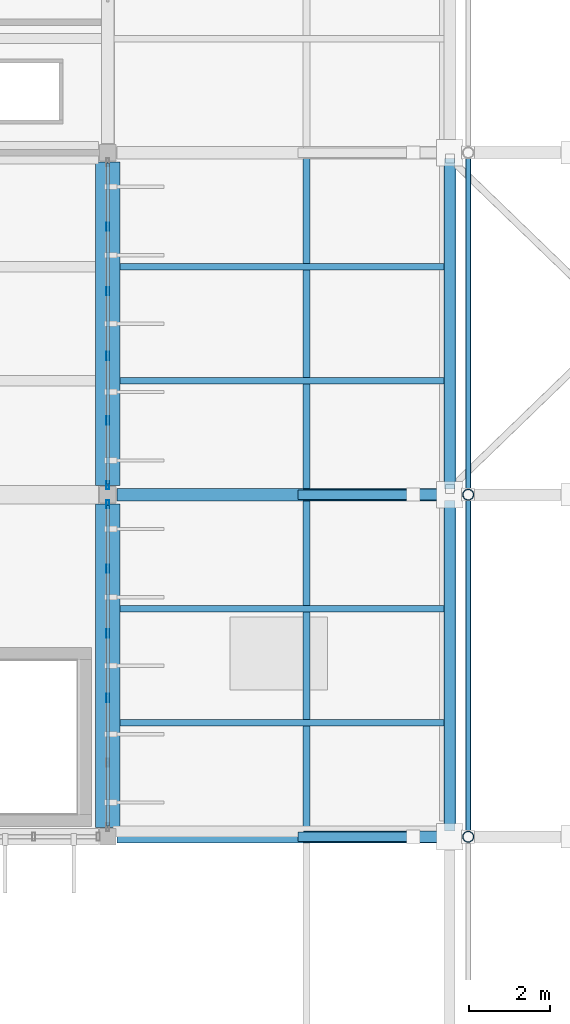
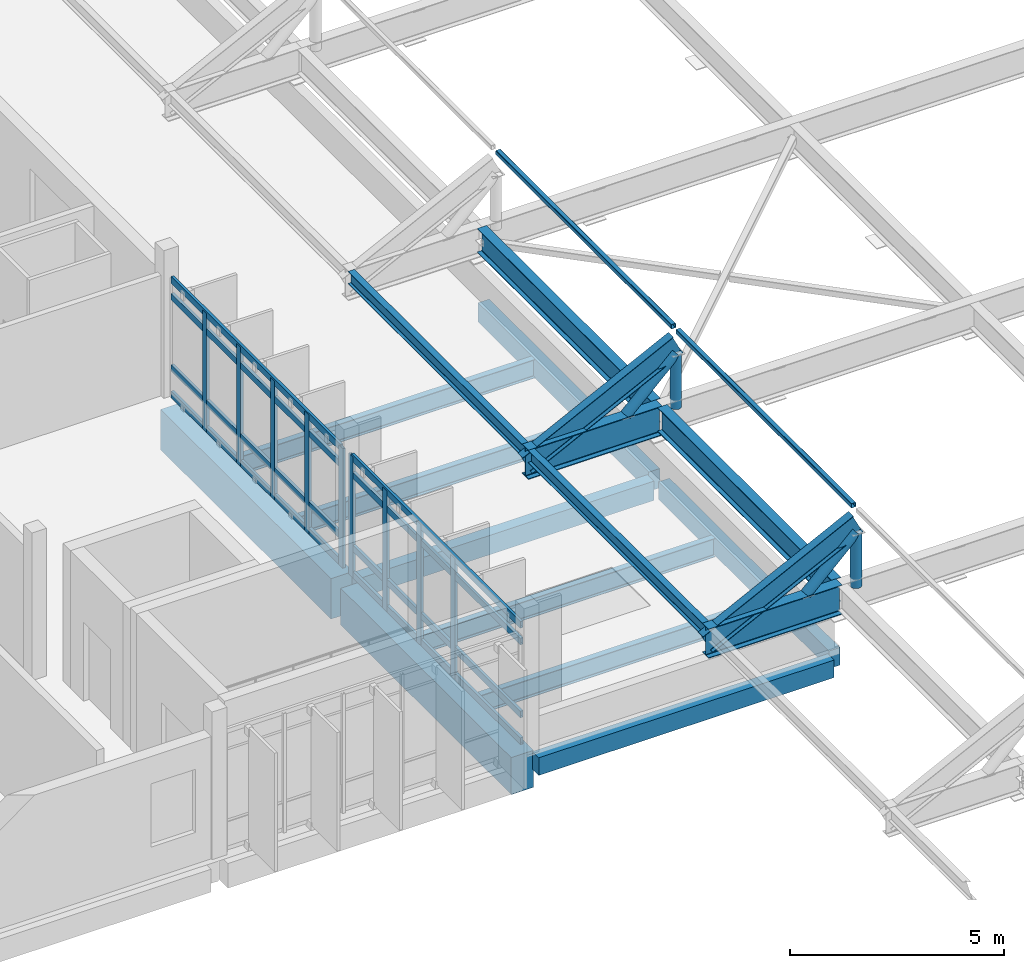
# One storey, part 7 of 41: 23 members, 18 beams, 2 elements without a shape of their own.
"""IFC4 building model written with IfcOpenShell, lengths in metres."""

from ifc_helpers import new_model, si_unit, direction, frame, origin, origin_2d, place, context, subcontext, project, spatial, rectangle, hollow_rectangle, hollow_circle, i_section, extrude, material, layer, layer_set, material_profile, profile_set, type_object, element, aggregate, save


model = new_model("IFC4")

# Units and contexts
model_context = context("Model", 3, precision=1e-05, world=origin(), true_north=direction((0.0, 1.0)))
body_context = subcontext(model_context, "Body", "Model", "MODEL_VIEW")
ifc_project = project(units=[si_unit("LENGTHUNIT", "METRE"), si_unit("AREAUNIT", "SQUARE_METRE"), si_unit("VOLUMEUNIT", "CUBIC_METRE"), si_unit("PLANEANGLEUNIT", "RADIAN"), si_unit("MASSUNIT", "GRAM", prefix="KILO")], contexts=[model_context])

# Site, building, storey
site_placement = place(None, origin())
site = spatial("IfcSite", under=ifc_project, at=site_placement, CompositionType="ELEMENT")
building_placement = place(site_placement, origin())
building = spatial("IfcBuilding", under=site, at=building_placement, Name="Vireocrest Preparatory School", CompositionType="ELEMENT")
storey_placement = place(building_placement, frame((0.0, 0.0, 21.60009765625)))
storey = spatial("IfcBuildingStorey", under=building, at=storey_placement, Name="L05", CompositionType="ELEMENT", Elevation=21.60009765625)

# Beams
ifc_material_1 = material(Name="Structural steel ASTM A992 Grade 50", Category="steel")
ifc_material_profile_1 = material_profile(ifc_material_1, i_section(OverallWidth=0.25390625, OverallDepth=0.68408203125, WebThickness=0.012451171875, FlangeThickness=0.018798828125, FilletRadius=0.01806640625, at=origin_2d()), Name="W27X94")
ifc_profile_set_1 = profile_set([ifc_material_profile_1], Name="Structural steel ASTM A992 Grade 50")
beam_type_1 = type_object("IfcBeamType", Name="Bridge Primary Steel Girder W27X94", PredefinedType="BEAM", material=ifc_profile_set_1)
beam_1_placement = place(storey_placement, frame((67.199951171875, 43.944091796875, 1.492919921875), z_axis=(0.0, 1.0, 0.0), x_axis=(-1.0, 0.0, 0.0)))
element("IfcBeam", 1, at=beam_1_placement, inside=storey, type_object=beam_type_1, Name="Canopy Longitudinal Beam WO-3", PredefinedType="BEAM", context=body_context, shape_type="SweptSolid", body=[
    extrude(i_section(OverallWidth=0.25390625, OverallDepth=0.68408203125, WebThickness=0.012451171875, FlangeThickness=0.018798828125, FilletRadius=0.01806640625, at=origin_2d()), origin(), (0.0, 0.0, 1.0), 8.11181640625),
])
beam_2_placement = place(storey_placement, frame((67.199951171875, 52.343994140625, 1.492919921875), z_axis=(0.0, 1.0, 0.0), x_axis=(-1.0, 0.0, 0.0)))
element("IfcBeam", 2, at=beam_2_placement, inside=storey, type_object=beam_type_1, Name="Canopy Longitudinal Beam WO-4", PredefinedType="BEAM", context=body_context, shape_type="SweptSolid", body=[
    extrude(i_section(OverallWidth=0.25390625, OverallDepth=0.68408203125, WebThickness=0.012451171875, FlangeThickness=0.018798828125, FilletRadius=0.01806640625, at=origin_2d()), origin(), (0.0, 0.0, 1.0), 8.112060546875),
])

# Curtain wall, members
ifc_material_2 = material(Name="Thermally broken aluminium EN AW-6063-T6", Category="aluminium")
ifc_layer = layer(ifc_material_2, 0.179931640625)
ifc_layer_set = layer_set([ifc_layer], Name="Thermally broken aluminium EN AW-6063-T6")
curtain_wall_type = type_object("IfcCurtainWallType", Name="Teaching Fin Curtain Wall 8400x4200", PredefinedType="USERDEFINED", material=ifc_layer_set)
curtain_wall_1_placement = place(storey_placement, origin())
curtain_wall_1 = element("IfcCurtainWall", 3, at=curtain_wall_1_placement, inside=storey, type_object=curtain_wall_type, Name="Curtain Wall CW03 CW_L05_CW03_0588_0440_216", ObjectType="CURTAIN WALL", PredefinedType="USERDEFINED")
ifc_material_profile_2 = material_profile(ifc_material_2, hollow_rectangle(XDim=0.074951171875, YDim=0.199951171875, WallThickness=0.0048828125, at=origin_2d()), Name="ALU 75x200x5")
ifc_profile_set_2 = profile_set([ifc_material_profile_2], Name="Thermally broken aluminium EN AW-6063-T6")
member_type_1 = type_object("IfcMemberType", Name="CW Mullion 75x200x5", PredefinedType="MULLION", material=ifc_profile_set_2)
member_1_placement = place(storey_placement, frame((58.800048828125, 47.20703125, 0.0), z_axis=(0.0, 0.0, 1.0), x_axis=(1.0, 0.0, 0.0)))
member_1 = element("IfcMember", 4, at=member_1_placement, type_object=member_type_1, Name="CW Mullion ML3 CW_L05_CW03_0588_0440_216-3", PredefinedType="MULLION", context=body_context, shape_type="SweptSolid", body=[
    extrude(hollow_rectangle(XDim=0.074951171875, YDim=0.199951171875, WallThickness=0.0048828125, at=origin_2d()), origin(), (0.0, 0.0, 1.0), 3.44482421875),
])
member_2_placement = place(storey_placement, frame((58.800048828125, 48.79296875, 0.0), z_axis=(0.0, 0.0, 1.0), x_axis=(1.0, 0.0, 0.0)))
member_2 = element("IfcMember", 5, at=member_2_placement, type_object=member_type_1, Name="CW Mullion ML3 CW_L05_CW03_0588_0440_216-4", PredefinedType="MULLION", context=body_context, shape_type="SweptSolid", body=[
    extrude(hollow_rectangle(XDim=0.074951171875, YDim=0.199951171875, WallThickness=0.0048828125, at=origin_2d()), origin(), (0.0, 0.0, 1.0), 3.44482421875),
])
member_3_placement = place(storey_placement, frame((58.800048828125, 50.37890625, 0.0), z_axis=(0.0, 0.0, 1.0), x_axis=(1.0, 0.0, 0.0)))
member_3 = element("IfcMember", 6, at=member_3_placement, type_object=member_type_1, Name="CW Mullion ML3 CW_L05_CW03_0588_0440_216-5", PredefinedType="MULLION", context=body_context, shape_type="SweptSolid", body=[
    extrude(hollow_rectangle(XDim=0.074951171875, YDim=0.199951171875, WallThickness=0.0048828125, at=origin_2d()), origin(), (0.0, 0.0, 1.0), 3.44482421875),
])
member_4_placement = place(storey_placement, frame((58.800048828125, 51.965087890625, 0.0), z_axis=(0.0, 0.0, 1.0), x_axis=(1.0, 0.0, 0.0)))
member_4 = element("IfcMember", 7, at=member_4_placement, type_object=member_type_1, Name="CW Mullion ML3 CW_L05_CW03_0588_0440_216-6", PredefinedType="MULLION", context=body_context, shape_type="SweptSolid", body=[
    extrude(hollow_rectangle(XDim=0.074951171875, YDim=0.199951171875, WallThickness=0.0048828125, at=origin_2d()), origin(), (0.0, 0.0, 1.0), 3.44482421875),
])

curtain_wall_2_placement = place(storey_placement, origin())
curtain_wall_2 = element("IfcCurtainWall", 8, at=curtain_wall_2_placement, inside=storey, type_object=curtain_wall_type, Name="Curtain Wall CW03 CW_L05_CW03_0588_0524_216", ObjectType="CURTAIN WALL", PredefinedType="USERDEFINED")
member_5_placement = place(storey_placement, frame((58.800048828125, 52.43505859375, 0.0), z_axis=(0.0, 0.0, 1.0), x_axis=(1.0, 0.0, 0.0)))
member_5 = element("IfcMember", 9, at=member_5_placement, type_object=member_type_1, Name="CW Mullion ML3 CW_L05_CW03_0588_0524_216-1", PredefinedType="MULLION", context=body_context, shape_type="SweptSolid", body=[
    extrude(hollow_rectangle(XDim=0.074951171875, YDim=0.199951171875, WallThickness=0.0048828125, at=origin_2d()), origin(), (0.0, 0.0, 1.0), 3.39501953125),
])
member_6_placement = place(storey_placement, frame((58.800048828125, 54.02099609375, 0.0), z_axis=(0.0, 0.0, 1.0), x_axis=(1.0, 0.0, 0.0)))
member_6 = element("IfcMember", 10, at=member_6_placement, type_object=member_type_1, Name="CW Mullion ML3 CW_L05_CW03_0588_0524_216-2", PredefinedType="MULLION", context=body_context, shape_type="SweptSolid", body=[
    extrude(hollow_rectangle(XDim=0.074951171875, YDim=0.199951171875, WallThickness=0.0048828125, at=origin_2d()), origin(), (0.0, 0.0, 1.0), 3.39501953125),
])
member_7_placement = place(storey_placement, frame((58.800048828125, 55.60693359375, 0.0), z_axis=(0.0, 0.0, 1.0), x_axis=(1.0, 0.0, 0.0)))
member_7 = element("IfcMember", 11, at=member_7_placement, type_object=member_type_1, Name="CW Mullion ML3 CW_L05_CW03_0588_0524_216-3", PredefinedType="MULLION", context=body_context, shape_type="SweptSolid", body=[
    extrude(hollow_rectangle(XDim=0.074951171875, YDim=0.199951171875, WallThickness=0.0048828125, at=origin_2d()), origin(), (0.0, 0.0, 1.0), 3.39501953125),
])
member_8_placement = place(storey_placement, frame((58.800048828125, 57.193115234375, 0.0), z_axis=(0.0, 0.0, 1.0), x_axis=(1.0, 0.0, 0.0)))
member_8 = element("IfcMember", 12, at=member_8_placement, type_object=member_type_1, Name="CW Mullion ML3 CW_L05_CW03_0588_0524_216-4", PredefinedType="MULLION", context=body_context, shape_type="SweptSolid", body=[
    extrude(hollow_rectangle(XDim=0.074951171875, YDim=0.199951171875, WallThickness=0.0048828125, at=origin_2d()), origin(), (0.0, 0.0, 1.0), 3.39501953125),
])
member_9_placement = place(storey_placement, frame((58.800048828125, 58.779052734375, 0.0), z_axis=(0.0, 0.0, 1.0), x_axis=(1.0, 0.0, 0.0)))
member_9 = element("IfcMember", 13, at=member_9_placement, type_object=member_type_1, Name="CW Mullion ML3 CW_L05_CW03_0588_0524_216-5", PredefinedType="MULLION", context=body_context, shape_type="SweptSolid", body=[
    extrude(hollow_rectangle(XDim=0.074951171875, YDim=0.199951171875, WallThickness=0.0048828125, at=origin_2d()), origin(), (0.0, 0.0, 1.0), 3.39501953125),
])

# Member
ifc_material_profile_3 = material_profile(ifc_material_2, hollow_rectangle(XDim=0.074951171875, YDim=0.18994140625, WallThickness=0.00390625, at=origin_2d()), Name="ALU 75x190x4")
ifc_profile_set_3 = profile_set([ifc_material_profile_3], Name="Thermally broken aluminium EN AW-6063-T6")
member_type_2 = type_object("IfcMemberType", Name="CW Transom 75x190x4", PredefinedType="USERDEFINED", material=ifc_profile_set_3)
member_10_placement = place(storey_placement, frame((58.800048828125, 44.06005859375, 0.094970703125), z_axis=(0.0, 1.0, 0.0), x_axis=(-1.0, 0.0, 0.0)))
member_10 = element("IfcMember", 14, at=member_10_placement, type_object=member_type_2, Name="CW Transom TR3 CW_L05_CW03_0588_0440_216-1", ObjectType="TRANSOM", PredefinedType="USERDEFINED", context=body_context, shape_type="SweptSolid", body=[
    extrude(hollow_rectangle(XDim=0.074951171875, YDim=0.18994140625, WallThickness=0.00390625, at=origin_2d()), origin(), (0.0, 0.0, 1.0), 7.8798828125),
])

member_11_placement = place(storey_placement, frame((58.800048828125, 44.06005859375, 0.849853515625), z_axis=(0.0, 1.0, 0.0), x_axis=(-1.0, 0.0, 0.0)))
member_11 = element("IfcMember", 15, at=member_11_placement, type_object=member_type_2, Name="CW Transom TR3 CW_L05_CW03_0588_0440_216-2", ObjectType="TRANSOM", PredefinedType="USERDEFINED", context=body_context, shape_type="SweptSolid", body=[
    extrude(hollow_rectangle(XDim=0.074951171875, YDim=0.18994140625, WallThickness=0.00390625, at=origin_2d()), origin(), (0.0, 0.0, 1.0), 7.8798828125),
])

member_12_placement = place(storey_placement, frame((58.800048828125, 44.06005859375, 2.929931640625), z_axis=(0.0, 1.0, 0.0), x_axis=(-1.0, 0.0, 0.0)))
member_12 = element("IfcMember", 16, at=member_12_placement, type_object=member_type_2, Name="CW Transom TR3 CW_L05_CW03_0588_0440_216-3", ObjectType="TRANSOM", PredefinedType="USERDEFINED", context=body_context, shape_type="SweptSolid", body=[
    extrude(hollow_rectangle(XDim=0.074951171875, YDim=0.18994140625, WallThickness=0.00390625, at=origin_2d()), origin(), (0.0, 0.0, 1.0), 7.8798828125),
])

member_13_placement = place(storey_placement, frame((58.800048828125, 44.06005859375, 3.40478515625), z_axis=(0.0, 1.0, 0.0), x_axis=(-1.0, 0.0, 0.0)))
member_13 = element("IfcMember", 17, at=member_13_placement, type_object=member_type_2, Name="CW Transom TR3 CW_L05_CW03_0588_0440_216-4", ObjectType="TRANSOM", PredefinedType="USERDEFINED", context=body_context, shape_type="SweptSolid", body=[
    extrude(hollow_rectangle(XDim=0.074951171875, YDim=0.18994140625, WallThickness=0.00390625, at=origin_2d()), origin(), (0.0, 0.0, 1.0), 7.8798828125),
])

aggregate(curtain_wall_1, [member_1, member_2, member_3, member_4, member_10, member_11, member_12, member_13])

member_14_placement = place(storey_placement, frame((58.800048828125, 52.4599609375, 0.094970703125), z_axis=(0.0, 1.0, 0.0), x_axis=(-1.0, 0.0, 0.0)))
member_14 = element("IfcMember", 18, at=member_14_placement, type_object=member_type_2, Name="CW Transom TR3 CW_L05_CW03_0588_0524_216-1", ObjectType="TRANSOM", PredefinedType="USERDEFINED", context=body_context, shape_type="SweptSolid", body=[
    extrude(hollow_rectangle(XDim=0.074951171875, YDim=0.18994140625, WallThickness=0.00390625, at=origin_2d()), origin(), (0.0, 0.0, 1.0), 7.880126953125),
])

member_15_placement = place(storey_placement, frame((58.800048828125, 52.4599609375, 0.849853515625), z_axis=(0.0, 1.0, 0.0), x_axis=(-1.0, 0.0, 0.0)))
member_15 = element("IfcMember", 19, at=member_15_placement, type_object=member_type_2, Name="CW Transom TR3 CW_L05_CW03_0588_0524_216-2", ObjectType="TRANSOM", PredefinedType="USERDEFINED", context=body_context, shape_type="SweptSolid", body=[
    extrude(hollow_rectangle(XDim=0.074951171875, YDim=0.18994140625, WallThickness=0.00390625, at=origin_2d()), origin(), (0.0, 0.0, 1.0), 7.880126953125),
])

member_16_placement = place(storey_placement, frame((58.800048828125, 52.4599609375, 2.8798828125), z_axis=(0.0, 1.0, 0.0), x_axis=(-1.0, 0.0, 0.0)))
member_16 = element("IfcMember", 20, at=member_16_placement, type_object=member_type_2, Name="CW Transom TR3 CW_L05_CW03_0588_0524_216-3", ObjectType="TRANSOM", PredefinedType="USERDEFINED", context=body_context, shape_type="SweptSolid", body=[
    extrude(hollow_rectangle(XDim=0.074951171875, YDim=0.18994140625, WallThickness=0.00390625, at=origin_2d()), origin(), (0.0, 0.0, 1.0), 7.880126953125),
])

member_17_placement = place(storey_placement, frame((58.800048828125, 52.4599609375, 3.35498046875), z_axis=(0.0, 1.0, 0.0), x_axis=(-1.0, 0.0, 0.0)))
member_17 = element("IfcMember", 21, at=member_17_placement, type_object=member_type_2, Name="CW Transom TR3 CW_L05_CW03_0588_0524_216-4", ObjectType="TRANSOM", PredefinedType="USERDEFINED", context=body_context, shape_type="SweptSolid", body=[
    extrude(hollow_rectangle(XDim=0.074951171875, YDim=0.18994140625, WallThickness=0.00390625, at=origin_2d()), origin(), (0.0, 0.0, 1.0), 7.880126953125),
])

aggregate(curtain_wall_2, [member_5, member_6, member_7, member_8, member_9, member_14, member_15, member_16, member_17])

# Members
ifc_material_3 = material(Name="Painted white steel ASTM A500 Grade C", Category="steel")
ifc_material_profile_4 = material_profile(ifc_material_3, hollow_rectangle(XDim=0.126953125, YDim=0.126953125, WallThickness=0.0087890625, InnerFilletRadius=0.0087890625, OuterFilletRadius=0.017822265625, at=origin_2d()), Name="HSS5X5X3/8")
ifc_profile_set_4 = profile_set([ifc_material_profile_4], Name="Painted white steel ASTM A500 Grade C")
member_type_3 = type_object("IfcMemberType", Name="Canopy Glass Steel Purlin HSS5X5X3/8", PredefinedType="PURLIN", material=ifc_profile_set_4)
member_18_placement = place(storey_placement, frame((67.64990234375, 43.909912109375, 3.7919921875), z_axis=(0.0, 1.0, 0.0), x_axis=(-1.0, 0.0, 0.0)))
element("IfcMember", 22, at=member_18_placement, inside=storey, type_object=member_type_3, Name="Canopy Glass Purlin PR2-3-2", PredefinedType="PURLIN", context=body_context, shape_type="SweptSolid", body=[
    extrude(hollow_rectangle(XDim=0.126953125, YDim=0.126953125, WallThickness=0.0087890625, InnerFilletRadius=0.0087890625, OuterFilletRadius=0.017822265625, at=origin_2d()), origin(), (0.0, 0.0, 1.0), 8.18017578125),
])
member_19_placement = place(storey_placement, frame((67.64990234375, 52.31005859375, 3.7919921875), z_axis=(0.0, 1.0, 0.0), x_axis=(-1.0, 0.0, 0.0)))
element("IfcMember", 23, at=member_19_placement, inside=storey, type_object=member_type_3, Name="Canopy Glass Purlin PR2-4-2", PredefinedType="PURLIN", context=body_context, shape_type="SweptSolid", body=[
    extrude(hollow_rectangle(XDim=0.126953125, YDim=0.126953125, WallThickness=0.0087890625, InnerFilletRadius=0.0087890625, OuterFilletRadius=0.017822265625, at=origin_2d()), origin(), (0.0, 0.0, 1.0), 8.179931640625),
])

# Beams
ifc_material_profile_5 = material_profile(ifc_material_1, i_section(OverallWidth=0.2919921875, OverallDepth=0.8349609375, WebThickness=0.013916015625, FlangeThickness=0.018798828125, FilletRadius=0.02001953125, at=origin_2d()), Name="W33X118")
ifc_profile_set_5 = profile_set([ifc_material_profile_5], Name="Structural steel ASTM A992 Grade 50")
beam_type_2 = type_object("IfcBeamType", Name="Central Court Canopy Primary Girder W33X118", PredefinedType="BEAM", material=ifc_profile_set_5)
for number, where, z_axis, x_axis, name in (
    (24, (63.60009765625, 43.800048828125, 1.41748046875), (1.0, 0.0, 0.0), (0.0, 1.0, 0.0), "Central Court Canopy Primary Girder CG1-3W"),
    (25, (63.60009765625, 52.199951171875, 1.41748046875), (1.0, 0.0, 0.0), (0.0, 1.0, 0.0), "Central Court Canopy Primary Girder CG1-4W"),
):
    element("IfcBeam", number, at=place(storey_placement, frame(where, z_axis=z_axis, x_axis=x_axis)), inside=storey, type_object=beam_type_2, Name=name, PredefinedType="BEAM", context=body_context, shape_type="SweptSolid", body=[
        extrude(i_section(OverallWidth=0.2919921875, OverallDepth=0.8349609375, WebThickness=0.013916015625, FlangeThickness=0.018798828125, FilletRadius=0.02001953125, at=origin_2d()), origin(), (0.0, 0.0, 1.0), 3.599853515625),
    ])
ifc_material_profile_6 = material_profile(ifc_material_1, i_section(OverallWidth=0.22802734375, OverallDepth=0.60302734375, WebThickness=0.010498046875, FlangeThickness=0.014892578125, FilletRadius=0.01611328125, at=origin_2d()), Name="W24X68")
ifc_profile_set_6 = profile_set([ifc_material_profile_6], Name="Structural steel ASTM A992 Grade 50")
beam_type_3 = type_object("IfcBeamType", Name="Dining Pavilion Roof Girder W24X68", PredefinedType="BEAM", material=ifc_profile_set_6)
for number, where, z_axis, x_axis, name in (
    (26, (63.60009765625, 43.800048828125, 1.374267578125), (0.894858343539, 0.0, 0.446350249243), (0.0, 1.0, 0.0), "Canopy Rafter Chord SB4-3-1"),
    (27, (63.60009765625, 52.199951171875, 1.374267578125), (0.894858343539, 0.0, 0.446350249243), (0.0, 1.0, 0.0), "Canopy Rafter Chord SB4-4-1"),
):
    element("IfcBeam", number, at=place(storey_placement, frame(where, z_axis=z_axis, x_axis=x_axis)), inside=storey, type_object=beam_type_3, Name=name, PredefinedType="BEAM", context=body_context, shape_type="SweptSolid", body=[
        extrude(i_section(OverallWidth=0.22802734375, OverallDepth=0.60302734375, WebThickness=0.010498046875, FlangeThickness=0.014892578125, FilletRadius=0.01611328125, at=origin_2d()), origin(), (0.0, 0.0, 1.0), 4.525634765625),
    ])
ifc_material_profile_7 = material_profile(ifc_material_1, i_section(OverallWidth=0.172119140625, OverallDepth=0.35791015625, WebThickness=0.0078125, FlangeThickness=0.01318359375, FilletRadius=0.012939453125, at=origin_2d()), Name="W14X38")
ifc_profile_set_7 = profile_set([ifc_material_profile_7], Name="Structural steel ASTM A992 Grade 50")
beam_type_4 = type_object("IfcBeamType", Name="Entrance Canopy Header Lintel W14X38", PredefinedType="USERDEFINED", material=ifc_profile_set_7)
beam_3_placement = place(storey_placement, frame((63.679931640625, 43.944091796875, 1.656005859375), z_axis=(0.0, 1.0, 0.0), x_axis=(-1.0, 0.0, 0.0)))
element("IfcBeam", 28, at=beam_3_placement, inside=storey, type_object=beam_type_4, Name="Canopy Longitudinal Beam WTIP-3", ObjectType="LINTEL", PredefinedType="USERDEFINED", context=body_context, shape_type="SweptSolid", body=[
    extrude(i_section(OverallWidth=0.172119140625, OverallDepth=0.35791015625, WebThickness=0.0078125, FlangeThickness=0.01318359375, FilletRadius=0.012939453125, at=origin_2d()), origin(), (0.0, 0.0, 1.0), 8.11181640625),
])
beam_4_placement = place(storey_placement, frame((63.679931640625, 52.343994140625, 1.656005859375), z_axis=(0.0, 1.0, 0.0), x_axis=(-1.0, 0.0, 0.0)))
element("IfcBeam", 29, at=beam_4_placement, inside=storey, type_object=beam_type_4, Name="Canopy Longitudinal Beam WTIP-4", ObjectType="LINTEL", PredefinedType="USERDEFINED", context=body_context, shape_type="SweptSolid", body=[
    extrude(i_section(OverallWidth=0.172119140625, OverallDepth=0.35791015625, WebThickness=0.0078125, FlangeThickness=0.01318359375, FilletRadius=0.012939453125, at=origin_2d()), origin(), (0.0, 0.0, 1.0), 8.112060546875),
])
ifc_material_profile_8 = material_profile(ifc_material_1, i_section(OverallWidth=0.166015625, OverallDepth=0.529052734375, WebThickness=0.009765625, FlangeThickness=0.013671875, FilletRadius=0.014892578125, at=origin_2d()), Name="W21X50")
ifc_profile_set_8 = profile_set([ifc_material_profile_8], Name="Structural steel ASTM A992 Grade 50")
beam_type_5 = type_object("IfcBeamType", Name="Pavilion Roof Joist W21X50", PredefinedType="JOIST", material=ifc_profile_set_8)
for number, where, z_axis, x_axis, name in (
    (30, (59.10009765625, 46.60009765625, -0.484619140625), (1.0, 0.0, 0.0), (0.0, 1.0, 0.0), "Secondary Joist SJ1 L05-1641"),
    (31, (59.10009765625, 49.39990234375, -0.484619140625), (1.0, 0.0, 0.0), (0.0, 1.0, 0.0), "Secondary Joist SJ1 L05-1642"),
    (32, (59.10009765625, 55.0, -0.484619140625), (1.0, 0.0, 0.0), (0.0, 1.0, 0.0), "Secondary Joist SJ1 L05-1643"),
    (33, (59.10009765625, 57.800048828125, -0.484619140625), (1.0, 0.0, 0.0), (0.0, 1.0, 0.0), "Secondary Joist SJ1 L05-1644"),
):
    element("IfcBeam", number, at=place(storey_placement, frame(where, z_axis=z_axis, x_axis=x_axis)), inside=storey, type_object=beam_type_5, Name=name, PredefinedType="JOIST", context=body_context, shape_type="SweptSolid", body=[
        extrude(i_section(OverallWidth=0.166015625, OverallDepth=0.529052734375, WebThickness=0.009765625, FlangeThickness=0.013671875, FilletRadius=0.014892578125, at=origin_2d()), origin(), (0.0, 0.0, 1.0), 7.949951171875),
    ])
ifc_material_4 = material(Name="Concrete 40 MPa", Category="concrete")
ifc_material_profile_9 = material_profile(ifc_material_4, rectangle(XDim=0.60009765625, YDim=1.14990234375, at=origin_2d()), Name="RC 600x1150")
ifc_profile_set_9 = profile_set([ifc_material_profile_9], Name="Concrete 40 MPa")
beam_type_6 = type_object("IfcBeamType", Name="RC Heavy Transfer Girder 600x1150", PredefinedType="BEAM", material=ifc_profile_set_9)
beam_5_placement = place(storey_placement, frame((58.800048828125, 52.425048828125, -0.835205078125), z_axis=(0.0, 1.0, 0.0), x_axis=(-1.0, 0.0, 0.0)))
element("IfcBeam", 34, at=beam_5_placement, inside=storey, type_object=beam_type_6, Name="Primary Girder B20 L05-1579", PredefinedType="BEAM", context=body_context, shape_type="SweptSolid", body=[
    extrude(rectangle(XDim=0.60009765625, YDim=1.14990234375, at=origin_2d()), origin(), (0.0, 0.0, 1.0), 7.949951171875),
])
ifc_material_profile_10 = material_profile(ifc_material_4, rectangle(XDim=0.300048828125, YDim=0.5, at=origin_2d()), Name="RC 300x500")
ifc_profile_set_10 = profile_set([ifc_material_profile_10], Name="Concrete 40 MPa")
beam_type_7 = type_object("IfcBeamType", Name="RC Roof Edge Beam 300x500", PredefinedType="BEAM", material=ifc_profile_set_10)
for number, where, z_axis, x_axis, name in (
    (35, (59.02490234375, 43.800048828125, -0.47021484375), (1.0, 0.0, 0.0), (0.0, 1.0, 0.0), "Primary Girder B01 L05-1519"),
    (36, (67.199951171875, 44.02490234375, -0.47021484375), (0.0, 1.0, 0.0), (-1.0, 0.0, 0.0), "Primary Girder B01 L05-1586"),
):
    element("IfcBeam", number, at=place(storey_placement, frame(where, z_axis=z_axis, x_axis=x_axis)), inside=storey, type_object=beam_type_7, Name=name, PredefinedType="BEAM", context=body_context, shape_type="SweptSolid", body=[
        extrude(rectangle(XDim=0.300048828125, YDim=0.5, at=origin_2d()), origin(), (0.0, 0.0, 1.0), 7.9501953125),
    ])
ifc_material_profile_11 = material_profile(ifc_material_4, rectangle(XDim=0.300048828125, YDim=0.550048828125, at=origin_2d()), Name="RC 300x550")
ifc_profile_set_11 = profile_set([ifc_material_profile_11], Name="Concrete 40 MPa")
beam_type_8 = type_object("IfcBeamType", Name="RC Roof Girder 300x550", PredefinedType="BEAM", material=ifc_profile_set_11)
beam_6_placement = place(storey_placement, frame((59.02490234375, 52.199951171875, -0.4951171875), z_axis=(1.0, 0.0, 0.0), x_axis=(0.0, 1.0, 0.0)))
element("IfcBeam", 37, at=beam_6_placement, inside=storey, type_object=beam_type_8, Name="Primary Girder B02 L05-1524", PredefinedType="BEAM", context=body_context, shape_type="SweptSolid", body=[
    extrude(rectangle(XDim=0.300048828125, YDim=0.550048828125, at=origin_2d()), origin(), (0.0, 0.0, 1.0), 7.9501953125),
])
beam_7_placement = place(storey_placement, frame((67.199951171875, 52.425048828125, -0.4951171875), z_axis=(0.0, 1.0, 0.0), x_axis=(-1.0, 0.0, 0.0)))
element("IfcBeam", 38, at=beam_7_placement, inside=storey, type_object=beam_type_8, Name="Primary Girder B02 L05-1587", PredefinedType="BEAM", context=body_context, shape_type="SweptSolid", body=[
    extrude(rectangle(XDim=0.300048828125, YDim=0.550048828125, at=origin_2d()), origin(), (0.0, 0.0, 1.0), 7.949951171875),
])
ifc_material_profile_12 = material_profile(ifc_material_4, rectangle(XDim=0.60009765625, YDim=1.050048828125, at=origin_2d()), Name="RC 600x1050")
ifc_profile_set_12 = profile_set([ifc_material_profile_12], Name="Concrete 40 MPa")
beam_type_9 = type_object("IfcBeamType", Name="RC Transfer Girder 600x1050", PredefinedType="BEAM", material=ifc_profile_set_12)
beam_8_placement = place(storey_placement, frame((58.800048828125, 44.02490234375, -0.78515625), z_axis=(0.0, 1.0, 0.0), x_axis=(-1.0, 0.0, 0.0)))
element("IfcBeam", 39, at=beam_8_placement, inside=storey, type_object=beam_type_9, Name="Primary Girder B19 L05-1578", PredefinedType="BEAM", context=body_context, shape_type="SweptSolid", body=[
    extrude(rectangle(XDim=0.60009765625, YDim=1.050048828125, at=origin_2d()), origin(), (0.0, 0.0, 1.0), 7.9501953125),
])

# Members
ifc_material_profile_13 = material_profile(ifc_material_3, hollow_circle(Radius=0.136474609375, WallThickness=0.0126953125, at=origin_2d()), Name="HSS10.750X0.500")
ifc_profile_set_13 = profile_set([ifc_material_profile_13], Name="Painted white steel ASTM A500 Grade C")
member_type_4 = type_object("IfcMemberType", Name="White Steel Clerestory Strut HSS10.750X0.500", PredefinedType="USERDEFINED", material=ifc_profile_set_13)
member_20_placement = place(storey_placement, frame((67.64990234375, 43.800048828125, 1.577392578125), z_axis=(0.0, 0.0, 1.0), x_axis=(1.0, 0.0, 0.0)))
element("IfcMember", 40, at=member_20_placement, inside=storey, type_object=member_type_4, Name="Canopy Truss Web Vertical VS3-3-2", ObjectType="STRUT", PredefinedType="USERDEFINED", context=body_context, shape_type="SweptSolid", body=[
    extrude(hollow_circle(Radius=0.136474609375, WallThickness=0.0126953125, at=origin_2d()), origin(), (0.0, 0.0, 1.0), 1.54052734375),
])
member_21_placement = place(storey_placement, frame((66.300048828125, 43.800048828125, 1.81494140625), z_axis=(0.719488902292, 0.0, 0.694503937698), x_axis=(0.0, 1.0, 0.0)))
element("IfcMember", 41, at=member_21_placement, inside=storey, type_object=member_type_4, Name="Canopy Truss Web Strut VS3-3-1", ObjectType="STRUT", PredefinedType="USERDEFINED", context=body_context, shape_type="SweptSolid", body=[
    extrude(hollow_circle(Radius=0.136474609375, WallThickness=0.0126953125, at=origin_2d()), origin(), (0.0, 0.0, 1.0), 1.876220703125),
])
member_22_placement = place(storey_placement, frame((67.64990234375, 52.199951171875, 1.577392578125), z_axis=(0.0, 0.0, 1.0), x_axis=(1.0, 0.0, 0.0)))
element("IfcMember", 42, at=member_22_placement, inside=storey, type_object=member_type_4, Name="Canopy Truss Web Vertical VS3-4-2", ObjectType="STRUT", PredefinedType="USERDEFINED", context=body_context, shape_type="SweptSolid", body=[
    extrude(hollow_circle(Radius=0.136474609375, WallThickness=0.0126953125, at=origin_2d()), origin(), (0.0, 0.0, 1.0), 1.54052734375),
])
member_23_placement = place(storey_placement, frame((66.300048828125, 52.199951171875, 1.81494140625), z_axis=(0.719488902292, 0.0, 0.694503937698), x_axis=(0.0, 1.0, 0.0)))
element("IfcMember", 43, at=member_23_placement, inside=storey, type_object=member_type_4, Name="Canopy Truss Web Strut VS3-4-1", ObjectType="STRUT", PredefinedType="USERDEFINED", context=body_context, shape_type="SweptSolid", body=[
    extrude(hollow_circle(Radius=0.136474609375, WallThickness=0.0126953125, at=origin_2d()), origin(), (0.0, 0.0, 1.0), 1.876220703125),
])

save(model, "model.ifc")
